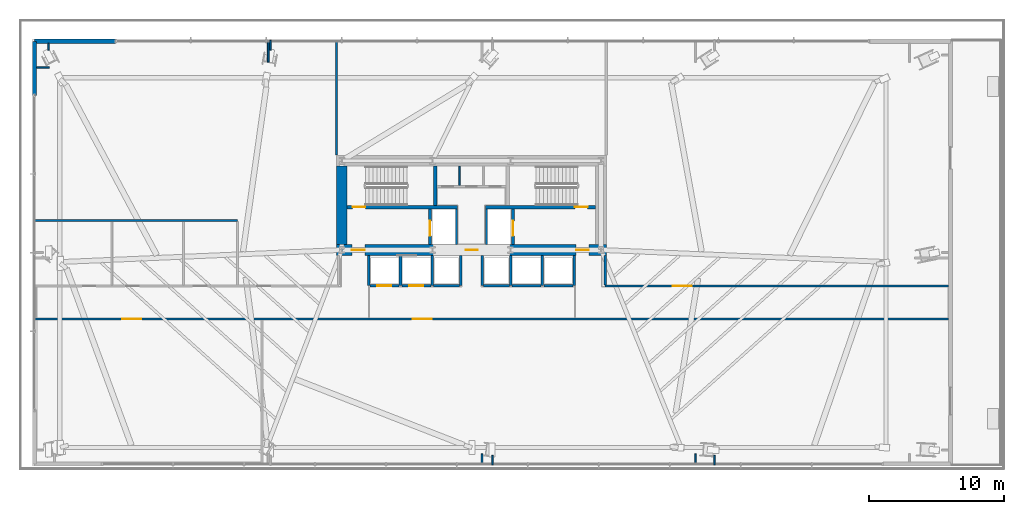
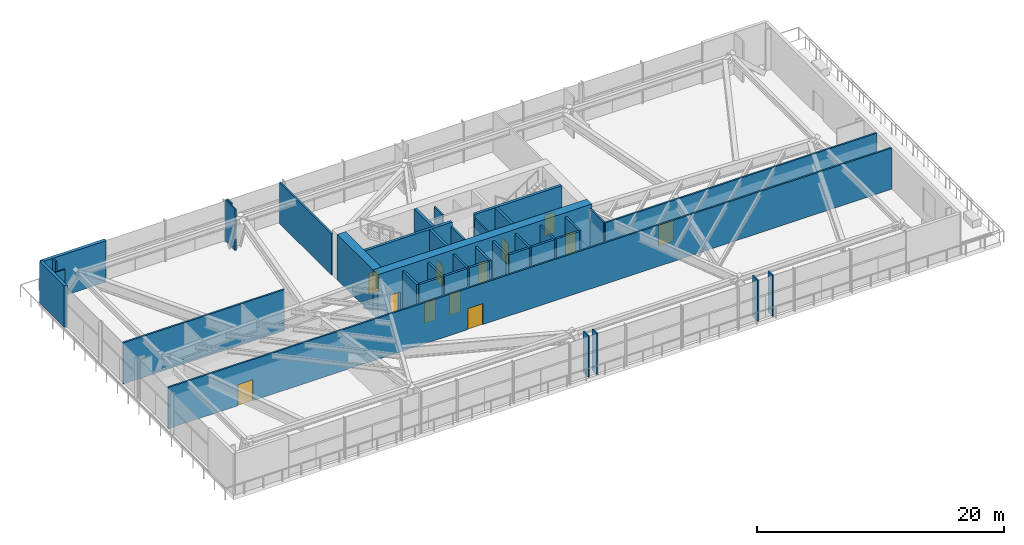
# One storey, part 22 of 30: 39 walls, 12 doors, 12 openings.
"""IFC4 building model written with IfcOpenShell, lengths in metres."""

from ifc_helpers import new_model, si_unit, direction, frame, frame_2d, origin, place, context, subcontext, project, spatial, rectangle, extrude, source, transform, mapped, material, layer, layer_set, type_object, type_shapes, element, fill, save


model = new_model("IFC4")

# Units and contexts
model_context = context("Model", 3, precision=1e-05, world=origin(), true_north=direction((0.0, 1.0)))
body_context = subcontext(model_context, "Body", "Model", "MODEL_VIEW")
ifc_project = project(units=[si_unit("LENGTHUNIT", "METRE"), si_unit("AREAUNIT", "SQUARE_METRE"), si_unit("VOLUMEUNIT", "CUBIC_METRE"), si_unit("PLANEANGLEUNIT", "RADIAN"), si_unit("MASSUNIT", "GRAM", prefix="KILO")], contexts=[model_context])

# Site, building, storey
site_placement = place(None, origin())
site = spatial("IfcSite", under=ifc_project, at=site_placement, CompositionType="ELEMENT")
building_placement = place(site_placement, origin())
building = spatial("IfcBuilding", under=site, at=building_placement, Name="Astriad Promenade Condominiums", CompositionType="ELEMENT")
storey_placement = place(building_placement, frame((0.0, 0.0, 14.0)))
storey = spatial("IfcBuildingStorey", under=building, at=storey_placement, Name="L03", CompositionType="ELEMENT", Elevation=14.0)

# Wall, openings, doors
ifc_material_1 = material(Name="Concrete C80/95", Category="concrete")
ifc_layer_1 = layer(ifc_material_1, 0.800048828125)
ifc_layer_set_1 = layer_set([ifc_layer_1], Name="Concrete C80/95")
wall_type_1 = type_object("IfcWallType", Name="CW-SHEAR-800", PredefinedType="SHEAR", material=ifc_layer_set_1)
wall_1_placement = place(storey_placement, frame((26.0, 17.39990234375, 0.0), z_axis=(0.0, 0.0, 1.0), x_axis=(1.0, 0.0, 0.0)))
wall_1 = element("IfcWall", 1, at=wall_1_placement, inside=storey, type_object=wall_type_1, Name="CW-CORE-S-L03", PredefinedType="SHEAR", context=body_context, shape_type="SweptSolid", body=[
    extrude(rectangle(XDim=20.0, YDim=0.800048828125, at=frame_2d((10.0, 0.0))), origin(), (0.0, 0.0, 1.0), 4.5),
])
opening_1_placement = place(wall_1_placement, frame((1.14990234375, 0.0, 0.0)))
opening_1 = element("IfcOpeningElement", 2, at=opening_1_placement, cuts=wall_1, Name="Opening FD90-ST-095", PredefinedType="OPENING", context=body_context, shape_type="SweptSolid", body=[
    extrude(rectangle(XDim=0.949951171875, YDim=2.06005859375, at=frame_2d((0.47509765625, 1.030029296875))), frame((0.0, 0.409912109375, 0.0), z_axis=(0.0, -1.0, 0.0), x_axis=(1.0, 0.0, 0.0)), (0.0, 0.0, 1.0), 0.820068359375),
])
opening_2_placement = place(wall_1_placement, frame((9.580078125, 0.0, 0.0)))
opening_2 = element("IfcOpeningElement", 3, at=opening_2_placement, cuts=wall_1, Name="Opening FD60-CSL-090", PredefinedType="OPENING", context=body_context, shape_type="SweptSolid", body=[
    extrude(rectangle(XDim=0.89990234375, YDim=2.06005859375, at=frame_2d((0.449951171875, 1.030029296875))), frame((0.0, 0.409912109375, 0.0), z_axis=(0.0, -1.0, 0.0), x_axis=(1.0, 0.0, 0.0)), (0.0, 0.0, 1.0), 0.820068359375),
])
opening_3_placement = place(wall_1_placement, frame((17.75, 0.0, 0.0)))
opening_3 = element("IfcOpeningElement", 4, at=opening_3_placement, cuts=wall_1, Name="Opening FD90-ST-095", PredefinedType="OPENING", context=body_context, shape_type="SweptSolid", body=[
    extrude(rectangle(XDim=0.949951171875, YDim=2.06005859375, at=frame_2d((0.47509765625, 1.030029296875))), frame((0.0, 0.409912109375, 0.0), z_axis=(0.0, -1.0, 0.0), x_axis=(1.0, 0.0, 0.0)), (0.0, 0.0, 1.0), 0.820068359375),
])
ifc_material_2 = material(Name="Fire-Rated Hollow Metal Stair Door")
door_type_1 = type_object("IfcDoorType", Name="FD90-ST-095", OperationType="NOTDEFINED", PredefinedType="DOOR", material=ifc_material_2)
shared_shape_1 = source(origin(), body_context, "Body", "SweptSolid", [
    extrude(rectangle(XDim=0.949951171875, YDim=2.06005859375, at=frame_2d((0.47509765625, 1.030029296875))), frame((0.0, 0.02490234375, 0.0), z_axis=(0.0, -1.0, 0.0), x_axis=(1.0, 0.0, 0.0)), (0.0, 0.0, 1.0), 0.050048828125),
])
type_shapes(door_type_1, [shared_shape_1])
door_1_placement = place(opening_1_placement, origin())
door_1 = element("IfcDoor", 5, at=door_1_placement, inside=storey, type_object=door_type_1, Name="D-FFW-L03", OperationType="SINGLE_SWING_LEFT", OverallHeight=2.06005859375, OverallWidth=0.949951171875, PredefinedType="DOOR", context=body_context, shape_type="MappedRepresentation", body=[
    mapped(shared_shape_1, transform((0.0, 0.0, 0.0), scale=1.0)),
])
fill(opening_1, door_1)
door_2_placement = place(opening_3_placement, origin())
door_2 = element("IfcDoor", 6, at=door_2_placement, inside=storey, type_object=door_type_1, Name="D-FFE-L03", OperationType="SINGLE_SWING_RIGHT", OverallHeight=2.06005859375, OverallWidth=0.949951171875, PredefinedType="DOOR", context=body_context, shape_type="MappedRepresentation", body=[
    mapped(shared_shape_1, transform((0.0, 0.0, 0.0), scale=1.0)),
])
fill(opening_3, door_2)
ifc_material_3 = material(Name="Fire-Rated Service Lobby Door")
door_type_2 = type_object("IfcDoorType", Name="FD60-CSL-090", OperationType="NOTDEFINED", PredefinedType="DOOR", material=ifc_material_3)
shared_shape_2 = source(origin(), body_context, "Body", "SweptSolid", [
    extrude(rectangle(XDim=0.89990234375, YDim=2.06005859375, at=frame_2d((0.449951171875, 1.030029296875))), frame((0.0, 0.02490234375, 0.0), z_axis=(0.0, -1.0, 0.0), x_axis=(1.0, 0.0, 0.0)), (0.0, 0.0, 1.0), 0.050048828125),
])
type_shapes(door_type_2, [shared_shape_2])
door_3_placement = place(opening_2_placement, origin())
door_3 = element("IfcDoor", 7, at=door_3_placement, inside=storey, type_object=door_type_2, Name="D-CSL-L03", OperationType="SINGLE_SWING_RIGHT", OverallHeight=2.06005859375, OverallWidth=0.89990234375, PredefinedType="DOOR", context=body_context, shape_type="MappedRepresentation", body=[
    mapped(shared_shape_2, transform((0.0, 0.0, 0.0), scale=1.0)),
])
fill(opening_2, door_3)

# Wall
wall_2_placement = place(storey_placement, frame((26.39990234375, 17.802001953125, 0.0), z_axis=(0.0, 0.0, 1.0), x_axis=(0.0, 1.0, 0.0)))
element("IfcWall", 8, at=wall_2_placement, inside=storey, type_object=wall_type_1, Name="CW-CORE-W-L03", PredefinedType="SHEAR", context=body_context, shape_type="SweptSolid", body=[
    extrude(rectangle(XDim=5.7958984375, YDim=0.800048828125, at=frame_2d((2.89794921875, 0.0))), origin(), (0.0, 0.0, 1.0), 4.5),
])

# Wall, opening, door
ifc_material_4 = material(Name="Concrete C50/60", Category="concrete")
ifc_layer_2 = layer(ifc_material_4, 0.25)
ifc_layer_set_2 = layer_set([ifc_layer_2], Name="Concrete C50/60")
wall_type_2 = type_object("IfcWallType", Name="WALL-CORE-INT-250", PredefinedType="SOLIDWALL", material=ifc_layer_set_2)
wall_3_placement = place(storey_placement, frame((26.802001953125, 20.574951171875, 0.0), z_axis=(0.0, 0.0, 1.0), x_axis=(1.0, 0.0, 0.0)))
wall_3 = element("IfcWall", 9, at=wall_3_placement, inside=storey, type_object=wall_type_2, Name="CW-INT-H1-L03", PredefinedType="SOLIDWALL", context=body_context, shape_type="SweptSolid", body=[
    extrude(rectangle(XDim=8.14794921875, YDim=0.25, at=frame_2d((4.073974609375, 0.0))), origin(), (0.0, 0.0, 1.0), 4.5),
])
opening_4_placement = place(wall_3_placement, frame((0.39794921875, 0.0, 0.0)))
opening_4 = element("IfcOpeningElement", 10, at=opening_4_placement, cuts=wall_3, Name="Opening FD90-ST-095", PredefinedType="OPENING", context=body_context, shape_type="SweptSolid", body=[
    extrude(rectangle(XDim=0.949951171875, YDim=2.06005859375, at=frame_2d((0.47509765625, 1.030029296875))), frame((0.0, 0.135009765625, 0.0), z_axis=(0.0, -1.0, 0.0), x_axis=(1.0, 0.0, 0.0)), (0.0, 0.0, 1.0), 0.27001953125),
])
door_4_placement = place(opening_4_placement, origin())
door_4 = element("IfcDoor", 11, at=door_4_placement, inside=storey, type_object=door_type_1, Name="D-ST1-L03", OperationType="SINGLE_SWING_RIGHT", OverallHeight=2.06005859375, OverallWidth=0.949951171875, PredefinedType="DOOR", context=body_context, shape_type="MappedRepresentation", body=[
    mapped(shared_shape_1, transform((0.0, 0.0, 0.0), scale=1.0)),
])
fill(opening_4, door_4)

wall_4_placement = place(storey_placement, frame((37.050048828125, 20.574951171875, 0.0), z_axis=(0.0, 0.0, 1.0), x_axis=(1.0, 0.0, 0.0)))
wall_4 = element("IfcWall", 12, at=wall_4_placement, inside=storey, type_object=wall_type_2, Name="CW-INT-H2-L03", PredefinedType="SOLIDWALL", context=body_context, shape_type="SweptSolid", body=[
    extrude(rectangle(XDim=8.14794921875, YDim=0.25, at=frame_2d((4.073974609375, 0.0))), origin(), (0.0, 0.0, 1.0), 4.5),
])
opening_5_placement = place(wall_4_placement, frame((6.60009765625, 0.0, 0.0)))
opening_5 = element("IfcOpeningElement", 13, at=opening_5_placement, cuts=wall_4, Name="Opening FD90-ST-095", PredefinedType="OPENING", context=body_context, shape_type="SweptSolid", body=[
    extrude(rectangle(XDim=0.949951171875, YDim=2.06005859375, at=frame_2d((0.47509765625, 1.030029296875))), frame((0.0, 0.135009765625, 0.0), z_axis=(0.0, -1.0, 0.0), x_axis=(1.0, 0.0, 0.0)), (0.0, 0.0, 1.0), 0.27001953125),
])
door_5_placement = place(opening_5_placement, origin())
door_5 = element("IfcDoor", 14, at=door_5_placement, inside=storey, type_object=door_type_1, Name="D-ST2-L03", OperationType="SINGLE_SWING_LEFT", OverallHeight=2.06005859375, OverallWidth=0.949951171875, PredefinedType="DOOR", context=body_context, shape_type="MappedRepresentation", body=[
    mapped(shared_shape_1, transform((0.0, 0.0, 0.0), scale=1.0)),
])
fill(opening_5, door_5)

# Wall
wall_5_placement = place(storey_placement, frame((33.324951171875, 20.701904296875, 0.0), z_axis=(0.0, 0.0, 1.0), x_axis=(0.0, 1.0, 0.0)))
element("IfcWall", 15, at=wall_5_placement, inside=storey, type_object=wall_type_2, Name="CW-ST1-E-L03", PredefinedType="SOLIDWALL", context=body_context, shape_type="SweptSolid", body=[
    extrude(rectangle(XDim=2.89599609375, YDim=0.25, at=frame_2d((1.447998046875, 0.0))), origin(), (0.0, 0.0, 1.0), 4.5),
])

# Wall, opening, door
wall_6_placement = place(storey_placement, frame((32.925048828125, 17.802001953125, 0.0), z_axis=(0.0, 0.0, 1.0), x_axis=(0.0, 1.0, 0.0)))
wall_6 = element("IfcWall", 16, at=wall_6_placement, inside=storey, type_object=wall_type_2, Name="CW-FFL1-W-L03", PredefinedType="SOLIDWALL", context=body_context, shape_type="SweptSolid", body=[
    extrude(rectangle(XDim=2.64599609375, YDim=0.25, at=frame_2d((1.322998046875, 0.0))), origin(), (0.0, 0.0, 1.0), 4.5),
])
opening_6_placement = place(wall_6_placement, frame((0.64794921875, 0.0, 0.0)))
opening_6 = element("IfcOpeningElement", 17, at=opening_6_placement, cuts=wall_6, Name="Opening LD-FFL-1122", PredefinedType="OPENING", context=body_context, shape_type="SweptSolid", body=[
    extrude(rectangle(XDim=1.10009765625, YDim=2.080078125, at=frame_2d((0.550048828125, 1.0400390625))), frame((0.0, 0.135009765625, 0.0), z_axis=(0.0, -1.0, 0.0), x_axis=(1.0, 0.0, 0.0)), (0.0, 0.0, 1.0), 0.27001953125),
])
ifc_material_5 = material(Name="Brushed Stainless Steel Fire Elevator Landing Door", Category="steel")
door_type_3 = type_object("IfcDoorType", Name="LD-FFL-1122", OperationType="NOTDEFINED", PredefinedType="DOOR", material=ifc_material_5)
shared_shape_3 = source(origin(), body_context, "Body", "SweptSolid", [
    extrude(rectangle(XDim=1.10009765625, YDim=2.080078125, at=frame_2d((0.550048828125, 1.0400390625))), frame((0.0, 0.02490234375, 0.0), z_axis=(0.0, -1.0, 0.0), x_axis=(1.0, 0.0, 0.0)), (0.0, 0.0, 1.0), 0.050048828125),
])
type_shapes(door_type_3, [shared_shape_3])
door_6_placement = place(opening_6_placement, origin())
door_6 = element("IfcDoor", 18, at=door_6_placement, inside=storey, type_object=door_type_3, Name="Elevator Landing Door FFL-1 (L03)", OperationType="SLIDING_TO_LEFT", OverallHeight=2.080078125, OverallWidth=1.10009765625, PredefinedType="DOOR", context=body_context, shape_type="MappedRepresentation", body=[
    mapped(shared_shape_3, transform((0.0, 0.0, 0.0), scale=1.0)),
])
fill(opening_6, door_6)

wall_7_placement = place(storey_placement, frame((39.074951171875, 17.802001953125, 0.0), z_axis=(0.0, 0.0, 1.0), x_axis=(0.0, 1.0, 0.0)))
wall_7 = element("IfcWall", 19, at=wall_7_placement, inside=storey, type_object=wall_type_2, Name="CW-FFL2-E-L03", PredefinedType="SOLIDWALL", context=body_context, shape_type="SweptSolid", body=[
    extrude(rectangle(XDim=2.64599609375, YDim=0.25, at=frame_2d((1.322998046875, 0.0))), origin(), (0.0, 0.0, 1.0), 4.5),
])
opening_7_placement = place(wall_7_placement, frame((0.64794921875, 0.0, 0.0)))
opening_7 = element("IfcOpeningElement", 20, at=opening_7_placement, cuts=wall_7, Name="Opening LD-FFL-1122", PredefinedType="OPENING", context=body_context, shape_type="SweptSolid", body=[
    extrude(rectangle(XDim=1.10009765625, YDim=2.080078125, at=frame_2d((0.550048828125, 1.0400390625))), frame((0.0, 0.135009765625, 0.0), z_axis=(0.0, -1.0, 0.0), x_axis=(1.0, 0.0, 0.0)), (0.0, 0.0, 1.0), 0.27001953125),
])
door_7_placement = place(opening_7_placement, origin())
door_7 = element("IfcDoor", 21, at=door_7_placement, inside=storey, type_object=door_type_3, Name="Elevator Landing Door FFL-2 (L03)", OperationType="SLIDING_TO_RIGHT", OverallHeight=2.080078125, OverallWidth=1.10009765625, PredefinedType="DOOR", context=body_context, shape_type="MappedRepresentation", body=[
    mapped(shared_shape_3, transform((0.0, 0.0, 0.0), scale=1.0)),
])
fill(opening_7, door_7)

# Walls
ifc_material_6 = material(Name="Fire-Rated Gypsum Partition")
ifc_layer_3 = layer(ifc_material_6, 0.159912109375)
ifc_layer_set_3 = layer_set([ifc_layer_3], Name="Fire-Rated Gypsum Partition")
wall_type_3 = type_object("IfcWallType", Name="WALL-CORR-160", PredefinedType="PARTITIONING", material=ifc_layer_set_3)
for number, where, z_axis, x_axis, name in (
    (22, (34.89990234375, 17.802001953125, 0.0), (0.0, 0.0, 1.0), (0.0, 1.0, 0.0), "CW-FFL1-E-L03"),
    (23, (37.10009765625, 17.802001953125, 0.0), (0.0, 0.0, 1.0), (0.0, 1.0, 0.0), "CW-FFL2-W-L03"),
):
    element("IfcWall", number, at=place(storey_placement, frame(where, z_axis=z_axis, x_axis=x_axis)), inside=storey, type_object=wall_type_3, Name=name, PredefinedType="PARTITIONING", context=body_context, shape_type="SweptSolid", body=[
        extrude(rectangle(XDim=2.64599609375, YDim=0.159912109375, at=frame_2d((1.322998046875, 0.0))), origin(), (0.0, 0.0, 1.0), 4.080078125),
    ])

# Wall, openings, doors
wall_8_placement = place(storey_placement, frame((3.64990234375, 12.300048828125, 0.0), z_axis=(0.0, 0.0, 1.0), x_axis=(1.0, 0.0, 0.0)))
wall_8 = element("IfcWall", 24, at=wall_8_placement, inside=storey, type_object=wall_type_3, Name="PT-L03-CS", PredefinedType="PARTITIONING", context=body_context, shape_type="SweptSolid", body=[
    extrude(rectangle(XDim=67.648193359375, YDim=0.159912109375, at=frame_2d((33.82421875, 0.0))), origin(), (0.0, 0.0, 1.0), 4.080078125),
])
opening_8_placement = place(wall_8_placement, frame((6.5, 0.0, 0.0)))
opening_8 = element("IfcOpeningElement", 25, at=opening_8_placement, cuts=wall_8, Name="Opening FD60-SAL-1422", PredefinedType="OPENING", context=body_context, shape_type="SweptSolid", body=[
    extrude(rectangle(XDim=1.39990234375, YDim=2.080078125, at=frame_2d((0.699951171875, 1.0400390625))), frame((0.0, 0.08984375, 0.0), z_axis=(0.0, -1.0, 0.0), x_axis=(1.0, 0.0, 0.0)), (0.0, 0.0, 1.0), 0.179931640625),
])
opening_9_placement = place(wall_8_placement, frame((28.0, 0.0, 0.0)))
opening_9 = element("IfcOpeningElement", 26, at=opening_9_placement, cuts=wall_8, Name="Opening FD60-SAL-1422", PredefinedType="OPENING", context=body_context, shape_type="SweptSolid", body=[
    extrude(rectangle(XDim=1.39990234375, YDim=2.080078125, at=frame_2d((0.699951171875, 1.0400390625))), frame((0.0, 0.08984375, 0.0), z_axis=(0.0, -1.0, 0.0), x_axis=(1.0, 0.0, 0.0)), (0.0, 0.0, 1.0), 0.179931640625),
])
ifc_material_7 = material(Name="Glazed Timber Double Salon Door", Category="wood")
door_type_4 = type_object("IfcDoorType", Name="FD60-SAL-1422", OperationType="NOTDEFINED", PredefinedType="DOOR", material=ifc_material_7)
shared_shape_4 = source(origin(), body_context, "Body", "SweptSolid", [
    extrude(rectangle(XDim=1.39990234375, YDim=2.080078125, at=frame_2d((0.699951171875, 1.0400390625))), frame((0.0, 0.02490234375, 0.0), z_axis=(0.0, -1.0, 0.0), x_axis=(1.0, 0.0, 0.0)), (0.0, 0.0, 1.0), 0.050048828125),
])
type_shapes(door_type_4, [shared_shape_4])
door_8_placement = place(opening_8_placement, origin())
door_8 = element("IfcDoor", 27, at=door_8_placement, inside=storey, type_object=door_type_4, Name="D-L03-R1", OperationType="DOUBLE_DOOR_SINGLE_SWING", OverallHeight=2.080078125, OverallWidth=1.39990234375, PredefinedType="DOOR", context=body_context, shape_type="MappedRepresentation", body=[
    mapped(shared_shape_4, transform((0.0, 0.0, 0.0), scale=1.0)),
])
fill(opening_8, door_8)
door_9_placement = place(opening_9_placement, origin())
door_9 = element("IfcDoor", 28, at=door_9_placement, inside=storey, type_object=door_type_4, Name="D-L03-R2", OperationType="DOUBLE_DOOR_SINGLE_SWING", OverallHeight=2.080078125, OverallWidth=1.39990234375, PredefinedType="DOOR", context=body_context, shape_type="MappedRepresentation", body=[
    mapped(shared_shape_4, transform((0.0, 0.0, 0.0), scale=1.0)),
])
fill(opening_9, door_9)

# Wall, opening, door
wall_9_placement = place(storey_placement, frame((45.89990234375, 14.719970703125, 0.0), z_axis=(0.0, 0.0, 1.0), x_axis=(1.0, 0.0, 0.0)))
wall_9 = element("IfcWall", 29, at=wall_9_placement, inside=storey, type_object=wall_type_3, Name="PT-L03-CNE", PredefinedType="PARTITIONING", context=body_context, shape_type="SweptSolid", body=[
    extrude(rectangle(XDim=25.398193359375, YDim=0.159912109375, at=frame_2d((12.69921875, 0.0))), origin(), (0.0, 0.0, 1.0), 4.080078125),
])
opening_10_placement = place(wall_9_placement, frame((5.0, 0.0, 0.0)))
opening_10 = element("IfcOpeningElement", 30, at=opening_10_placement, cuts=wall_9, Name="Opening FD60-SAL-1422", PredefinedType="OPENING", context=body_context, shape_type="SweptSolid", body=[
    extrude(rectangle(XDim=1.39990234375, YDim=2.080078125, at=frame_2d((0.699951171875, 1.0400390625))), frame((0.0, 0.08984375, 0.0), z_axis=(0.0, -1.0, 0.0), x_axis=(1.0, 0.0, 0.0)), (0.0, 0.0, 1.0), 0.179931640625),
])
door_10_placement = place(opening_10_placement, origin())
door_10 = element("IfcDoor", 31, at=door_10_placement, inside=storey, type_object=door_type_4, Name="D-L03-R3", OperationType="DOUBLE_DOOR_SINGLE_SWING", OverallHeight=2.080078125, OverallWidth=1.39990234375, PredefinedType="DOOR", context=body_context, shape_type="MappedRepresentation", body=[
    mapped(shared_shape_4, transform((0.0, 0.0, 0.0), scale=1.0)),
])
fill(opening_10, door_10)

# Walls
wall_10_placement = place(storey_placement, frame((3.64990234375, 19.580078125, 0.0), z_axis=(0.0, 0.0, 1.0), x_axis=(1.0, 0.0, 0.0)))
element("IfcWall", 32, at=wall_10_placement, inside=storey, type_object=wall_type_3, Name="PT-L03-WCN", PredefinedType="PARTITIONING", context=body_context, shape_type="SweptSolid", body=[
    extrude(rectangle(XDim=15.030029296875, YDim=0.159912109375, at=frame_2d((7.51513671875, 0.0))), origin(), (0.0, 0.0, 1.0), 4.080078125),
])
wall_11_placement = place(storey_placement, frame((26.0, 24.419921875, 0.0), z_axis=(0.0, 0.0, 1.0), x_axis=(0.0, 1.0, 0.0)))
element("IfcWall", 33, at=wall_11_placement, inside=storey, type_object=wall_type_3, Name="PT-L03-WSW", PredefinedType="PARTITIONING", context=body_context, shape_type="SweptSolid", body=[
    extrude(rectangle(XDim=8.43017578125, YDim=0.159912109375, at=frame_2d((4.215087890625, 0.0))), origin(), (0.0, 0.0, 1.0), 4.080078125),
])
wall_12_placement = place(storey_placement, frame((45.89990234375, 14.802001953125, 0.0), z_axis=(0.0, 0.0, 1.0), x_axis=(0.0, 1.0, 0.0)))
element("IfcWall", 34, at=wall_12_placement, inside=storey, type_object=wall_type_3, Name="PT-L03-CESP", PredefinedType="PARTITIONING", context=body_context, shape_type="SweptSolid", body=[
    extrude(rectangle(XDim=2.196044921875, YDim=0.159912109375, at=frame_2d((1.09814453125, 0.0))), origin(), (0.0, 0.0, 1.0), 4.080078125),
])
ifc_material_8 = material(Name="Precast concrete C50/60", Category="concrete")
ifc_layer_4 = layer(ifc_material_8, 0.300048828125)
ifc_layer_set_4 = layer_set([ifc_layer_4], Name="Precast concrete C50/60")
wall_type_4 = type_object("IfcWallType", Name="WALL-EXT-POD-300", PredefinedType="STANDARD", material=ifc_layer_set_4)
wall_13_placement = place(storey_placement, frame((3.64990234375, 28.85009765625, 0.0), z_axis=(0.0, 0.0, 1.0), x_axis=(0.0, 1.0, 0.0)))
element("IfcWall", 35, at=wall_13_placement, inside=storey, type_object=wall_type_4, Name="W-EXT-L03-W2", PredefinedType="STANDARD", context=body_context, shape_type="SweptSolid", body=[
    extrude(rectangle(XDim=4.0, YDim=0.300048828125, at=frame_2d((2.0, 0.0))), origin(), (0.0, 0.0, 1.0), 4.080078125),
])
wall_14_placement = place(storey_placement, frame((3.64990234375, 32.85009765625, 0.0), z_axis=(0.0, 0.0, 1.0), x_axis=(1.0, 0.0, 0.0)))
element("IfcWall", 36, at=wall_14_placement, inside=storey, type_object=wall_type_4, Name="W-EXT-L03-N1", PredefinedType="STANDARD", context=body_context, shape_type="SweptSolid", body=[
    extrude(rectangle(XDim=6.0, YDim=0.300048828125, at=frame_2d((3.0, 0.0))), origin(), (0.0, 0.0, 1.0), 4.080078125),
])
ifc_material_9 = material(Name="Acoustic Metal-Stud Gypsum Partition")
ifc_layer_5 = layer(ifc_material_9, 0.1201171875)
ifc_layer_set_5 = layer_set([ifc_layer_5], Name="Acoustic Metal-Stud Gypsum Partition")
wall_type_5 = type_object("IfcWallType", Name="WALL-PART-120", PredefinedType="PARTITIONING", material=ifc_layer_set_5)
wall_15_placement = place(storey_placement, frame((35.10009765625, 22.181884765625, 0.0), z_axis=(0.0, 0.0, 1.0), x_axis=(0.0, 1.0, 0.0)))
element("IfcWall", 37, at=wall_15_placement, inside=storey, type_object=wall_type_5, Name="CW-AUX-V1-L03", PredefinedType="PARTITIONING", context=body_context, shape_type="SweptSolid", body=[
    extrude(rectangle(XDim=1.416015625, YDim=0.1201171875, at=frame_2d((0.7080078125, 0.0))), origin(), (0.0, 0.0, 1.0), 4.080078125),
])
for number, where, z_axis, x_axis, name in (
    (38, (36.77490234375, 2.300048828125, 0.0), (0.0, 0.0, 1.0), (0.0, -1.0, 0.0), "PT-PIL-L03-PC03-10"),
    (39, (52.597412109375, 2.300048828125, 0.0), (0.0, 0.0, 1.0), (0.0, -1.0, 0.0), "PT-PIL-L03-PC04-11"),
):
    element("IfcWall", number, at=place(storey_placement, frame(where, z_axis=z_axis, x_axis=x_axis)), inside=storey, type_object=wall_type_5, Name=name, PredefinedType="PARTITIONING", context=body_context, shape_type="SweptSolid", body=[
        extrude(rectangle(XDim=0.820068359375, YDim=0.1201171875, at=frame_2d((0.41015625, 0.0))), origin(), (0.0, 0.0, 1.0), 4.080078125),
    ])
wall_16_placement = place(storey_placement, frame((4.75, 30.919921875, 0.0), z_axis=(0.0, 0.0, 1.0), x_axis=(-1.0, 0.0, 0.0)))
element("IfcWall", 40, at=wall_16_placement, inside=storey, type_object=wall_type_5, Name="PT-PIL-L03-PC06-13", PredefinedType="PARTITIONING", context=body_context, shape_type="SweptSolid", body=[
    extrude(rectangle(XDim=0.947998046875, YDim=0.1201171875, at=frame_2d((0.47412109375, 0.0))), origin(), (0.0, 0.0, 1.0), 4.080078125),
])
wall_17_placement = place(storey_placement, frame((20.952392578125, 31.300048828125, 0.0), z_axis=(0.0, 0.0, 1.0), x_axis=(0.0, 1.0, 0.0)))
element("IfcWall", 41, at=wall_17_placement, inside=storey, type_object=wall_type_5, Name="PT-PIL-L03-PC07-14", PredefinedType="PARTITIONING", context=body_context, shape_type="SweptSolid", body=[
    extrude(rectangle(XDim=1.619873046875, YDim=0.1201171875, at=frame_2d((0.81005859375, 0.0))), origin(), (0.0, 0.0, 1.0), 4.080078125),
])
for number, where, z_axis, x_axis, name in (
    (42, (37.550048828125, 2.199951171875, 0.0), (0.0, 0.0, 1.0), (0.0, -1.0, 0.0), "PT-PIL-L03-PC03-22"),
    (43, (53.985107421875, 2.199951171875, 0.0), (0.0, 0.0, 1.0), (0.0, -1.0, 0.0), "PT-PIL-L03-PC04-23"),
):
    element("IfcWall", number, at=place(storey_placement, frame(where, z_axis=z_axis, x_axis=x_axis)), inside=storey, type_object=wall_type_5, Name=name, PredefinedType="PARTITIONING", context=body_context, shape_type="SweptSolid", body=[
        extrude(rectangle(XDim=0.719970703125, YDim=0.1201171875, at=frame_2d((0.35986328125, 0.0))), origin(), (0.0, 0.0, 1.0), 4.080078125),
    ])
wall_18_placement = place(storey_placement, frame((4.679931640625, 32.199951171875, 0.0), z_axis=(0.0, 0.0, 1.0), x_axis=(0.0, 1.0, 0.0)))
element("IfcWall", 44, at=wall_18_placement, inside=storey, type_object=wall_type_5, Name="PT-PIL-L03-PC06-25", PredefinedType="PARTITIONING", context=body_context, shape_type="SweptSolid", body=[
    extrude(rectangle(XDim=0.498046875, YDim=0.1201171875, at=frame_2d((0.2490234375, 0.0))), origin(), (0.0, 0.0, 1.0), 4.080078125),
])
wall_19_placement = place(storey_placement, frame((21.114990234375, 32.199951171875, 0.0), z_axis=(0.0, 0.0, 1.0), x_axis=(0.0, 1.0, 0.0)))
element("IfcWall", 45, at=wall_19_placement, inside=storey, type_object=wall_type_5, Name="PT-PIL-L03-PC07-26", PredefinedType="PARTITIONING", context=body_context, shape_type="SweptSolid", body=[
    extrude(rectangle(XDim=0.719970703125, YDim=0.1201171875, at=frame_2d((0.35986328125, 0.0))), origin(), (0.0, 0.0, 1.0), 4.080078125),
])
ifc_material_10 = material(Name="Gypsum Shaftliner Assembly")
ifc_layer_6 = layer(ifc_material_10, 0.199951171875)
ifc_layer_set_6 = layer_set([ifc_layer_6], Name="Gypsum Shaftliner Assembly")
wall_type_6 = type_object("IfcWallType", Name="WALL-SHAFT-200", PredefinedType="PARTITIONING", material=ifc_layer_set_6)
for number, where, z_axis, x_axis, name in (
    (46, (28.39990234375, 14.75, 0.0), (0.0, 0.0, 1.0), (0.0, 1.0, 0.0), "PL-W-OUT-L03"),
    (47, (30.75, 14.75, 0.0), (0.0, 0.0, 1.0), (0.0, 1.0, 0.0), "PL-L-DIV-L03"),
    (48, (33.10009765625, 14.75, 0.0), (0.0, 0.0, 1.0), (0.0, 1.0, 0.0), "PL-LM-DIV-L03"),
):
    element("IfcWall", number, at=place(storey_placement, frame(where, z_axis=z_axis, x_axis=x_axis)), inside=storey, type_object=wall_type_6, Name=name, PredefinedType="PARTITIONING", context=body_context, shape_type="SweptSolid", body=[
        extrude(rectangle(XDim=2.248046875, YDim=0.199951171875, at=frame_2d((1.1240234375, 0.0))), origin(), (0.0, 0.0, 1.0), 4.080078125),
    ])

# Wall, opening, door
wall_20_placement = place(storey_placement, frame((28.501953125, 14.75, 0.0), z_axis=(0.0, 0.0, 1.0), x_axis=(1.0, 0.0, 0.0)))
wall_20 = element("IfcWall", 49, at=wall_20_placement, inside=storey, type_object=wall_type_6, Name="PL-L-FRT-L03", PredefinedType="PARTITIONING", context=body_context, shape_type="SweptSolid", body=[
    extrude(rectangle(XDim=2.14599609375, YDim=0.199951171875, at=frame_2d((1.072998046875, 0.0))), origin(), (0.0, 0.0, 1.0), 4.080078125),
])
opening_11_placement = place(wall_20_placement, frame((0.52294921875, 0.0, 0.0)))
opening_11 = element("IfcOpeningElement", 50, at=opening_11_placement, cuts=wall_20, Name="Opening LD-PL-10522", PredefinedType="OPENING", context=body_context, shape_type="SweptSolid", body=[
    extrude(rectangle(XDim=1.050048828125, YDim=2.080078125, at=frame_2d((0.52490234375, 1.0400390625))), frame((0.0, 0.10986328125, 0.0), z_axis=(0.0, -1.0, 0.0), x_axis=(1.0, 0.0, 0.0)), (0.0, 0.0, 1.0), 0.219970703125),
])
ifc_material_11 = material(Name="Brushed Bronze Passenger Elevator Landing Door")
door_type_5 = type_object("IfcDoorType", Name="LD-PL-10522", OperationType="NOTDEFINED", PredefinedType="DOOR", material=ifc_material_11)
shared_shape_5 = source(origin(), body_context, "Body", "SweptSolid", [
    extrude(rectangle(XDim=1.050048828125, YDim=2.080078125, at=frame_2d((0.52490234375, 1.0400390625))), frame((0.0, 0.02490234375, 0.0), z_axis=(0.0, -1.0, 0.0), x_axis=(1.0, 0.0, 0.0)), (0.0, 0.0, 1.0), 0.050048828125),
])
type_shapes(door_type_5, [shared_shape_5])
door_11_placement = place(opening_11_placement, origin())
door_11 = element("IfcDoor", 51, at=door_11_placement, inside=storey, type_object=door_type_5, Name="Elevator Landing Door PL-L1 (L03)", OperationType="SLIDING_TO_LEFT", OverallHeight=2.080078125, OverallWidth=1.050048828125, PredefinedType="DOOR", context=body_context, shape_type="MappedRepresentation", body=[
    mapped(shared_shape_5, transform((0.0, 0.0, 0.0), scale=1.0)),
])
fill(opening_11, door_11)

wall_21_placement = place(storey_placement, frame((30.85205078125, 14.75, 0.0), z_axis=(0.0, 0.0, 1.0), x_axis=(1.0, 0.0, 0.0)))
wall_21 = element("IfcWall", 52, at=wall_21_placement, inside=storey, type_object=wall_type_6, Name="PL-L-FRT-L03-S2", PredefinedType="PARTITIONING", context=body_context, shape_type="SweptSolid", body=[
    extrude(rectangle(XDim=2.14599609375, YDim=0.199951171875, at=frame_2d((1.072998046875, 0.0))), origin(), (0.0, 0.0, 1.0), 4.080078125),
])
opening_12_placement = place(wall_21_placement, frame((0.52294921875, 0.0, 0.0)))
opening_12 = element("IfcOpeningElement", 53, at=opening_12_placement, cuts=wall_21, Name="Opening LD-PL-10522", PredefinedType="OPENING", context=body_context, shape_type="SweptSolid", body=[
    extrude(rectangle(XDim=1.050048828125, YDim=2.080078125, at=frame_2d((0.52490234375, 1.0400390625))), frame((0.0, 0.10986328125, 0.0), z_axis=(0.0, -1.0, 0.0), x_axis=(1.0, 0.0, 0.0)), (0.0, 0.0, 1.0), 0.219970703125),
])
door_12_placement = place(opening_12_placement, origin())
door_12 = element("IfcDoor", 54, at=door_12_placement, inside=storey, type_object=door_type_5, Name="Elevator Landing Door PL-L2 (L03)", OperationType="SLIDING_TO_RIGHT", OverallHeight=2.080078125, OverallWidth=1.050048828125, PredefinedType="DOOR", context=body_context, shape_type="MappedRepresentation", body=[
    mapped(shared_shape_5, transform((0.0, 0.0, 0.0), scale=1.0)),
])
fill(opening_12, door_12)

# Walls
wall_22_placement = place(storey_placement, frame((35.199951171875, 14.75, 0.0), z_axis=(0.0, 0.0, 1.0), x_axis=(0.0, 1.0, 0.0)))
element("IfcWall", 55, at=wall_22_placement, inside=storey, type_object=wall_type_6, Name="PL-M1-E-L03", PredefinedType="PARTITIONING", context=body_context, shape_type="SweptSolid", body=[
    extrude(rectangle(XDim=2.248046875, YDim=0.199951171875, at=frame_2d((1.1240234375, 0.0))), origin(), (0.0, 0.0, 1.0), 4.080078125),
])
wall_23_placement = place(storey_placement, frame((33.201904296875, 14.75, 0.0), z_axis=(0.0, 0.0, 1.0), x_axis=(1.0, 0.0, 0.0)))
element("IfcWall", 56, at=wall_23_placement, inside=storey, type_object=wall_type_6, Name="PL-M1-F-L03", PredefinedType="PARTITIONING", context=body_context, shape_type="SweptSolid", body=[
    extrude(rectangle(XDim=1.89599609375, YDim=0.199951171875, at=frame_2d((0.947998046875, 0.0))), origin(), (0.0, 0.0, 1.0), 4.080078125),
])
for number, where, z_axis, x_axis, name in (
    (57, (36.800048828125, 14.75, 0.0), (0.0, 0.0, 1.0), (0.0, 1.0, 0.0), "PL-M2-W-L03"),
    (58, (38.89990234375, 14.75, 0.0), (0.0, 0.0, 1.0), (0.0, 1.0, 0.0), "PL-MH-DIV-L03"),
):
    element("IfcWall", number, at=place(storey_placement, frame(where, z_axis=z_axis, x_axis=x_axis)), inside=storey, type_object=wall_type_6, Name=name, PredefinedType="PARTITIONING", context=body_context, shape_type="SweptSolid", body=[
        extrude(rectangle(XDim=2.248046875, YDim=0.199951171875, at=frame_2d((1.1240234375, 0.0))), origin(), (0.0, 0.0, 1.0), 4.080078125),
    ])
wall_24_placement = place(storey_placement, frame((36.902099609375, 14.75, 0.0), z_axis=(0.0, 0.0, 1.0), x_axis=(1.0, 0.0, 0.0)))
element("IfcWall", 59, at=wall_24_placement, inside=storey, type_object=wall_type_6, Name="PL-M2-F-L03", PredefinedType="PARTITIONING", context=body_context, shape_type="SweptSolid", body=[
    extrude(rectangle(XDim=1.89599609375, YDim=0.199951171875, at=frame_2d((0.947998046875, 0.0))), origin(), (0.0, 0.0, 1.0), 4.080078125),
])
for number, where, z_axis, x_axis, name in (
    (60, (41.25, 14.75, 0.0), (0.0, 0.0, 1.0), (0.0, 1.0, 0.0), "PL-H-DIV-L03"),
    (61, (43.60009765625, 14.75, 0.0), (0.0, 0.0, 1.0), (0.0, 1.0, 0.0), "PL-E-OUT-L03"),
):
    element("IfcWall", number, at=place(storey_placement, frame(where, z_axis=z_axis, x_axis=x_axis)), inside=storey, type_object=wall_type_6, Name=name, PredefinedType="PARTITIONING", context=body_context, shape_type="SweptSolid", body=[
        extrude(rectangle(XDim=2.248046875, YDim=0.199951171875, at=frame_2d((1.1240234375, 0.0))), origin(), (0.0, 0.0, 1.0), 4.080078125),
    ])
for number, where, z_axis, x_axis, name in (
    (62, (39.001953125, 14.75, 0.0), (0.0, 0.0, 1.0), (1.0, 0.0, 0.0), "PL-H-FRT-L03"),
    (63, (41.35205078125, 14.75, 0.0), (0.0, 0.0, 1.0), (1.0, 0.0, 0.0), "PL-H-FRT-L03-S2"),
):
    element("IfcWall", number, at=place(storey_placement, frame(where, z_axis=z_axis, x_axis=x_axis)), inside=storey, type_object=wall_type_6, Name=name, PredefinedType="PARTITIONING", context=body_context, shape_type="SweptSolid", body=[
        extrude(rectangle(XDim=2.14599609375, YDim=0.199951171875, at=frame_2d((1.072998046875, 0.0))), origin(), (0.0, 0.0, 1.0), 4.080078125),
    ])

save(model, "model.ifc")
